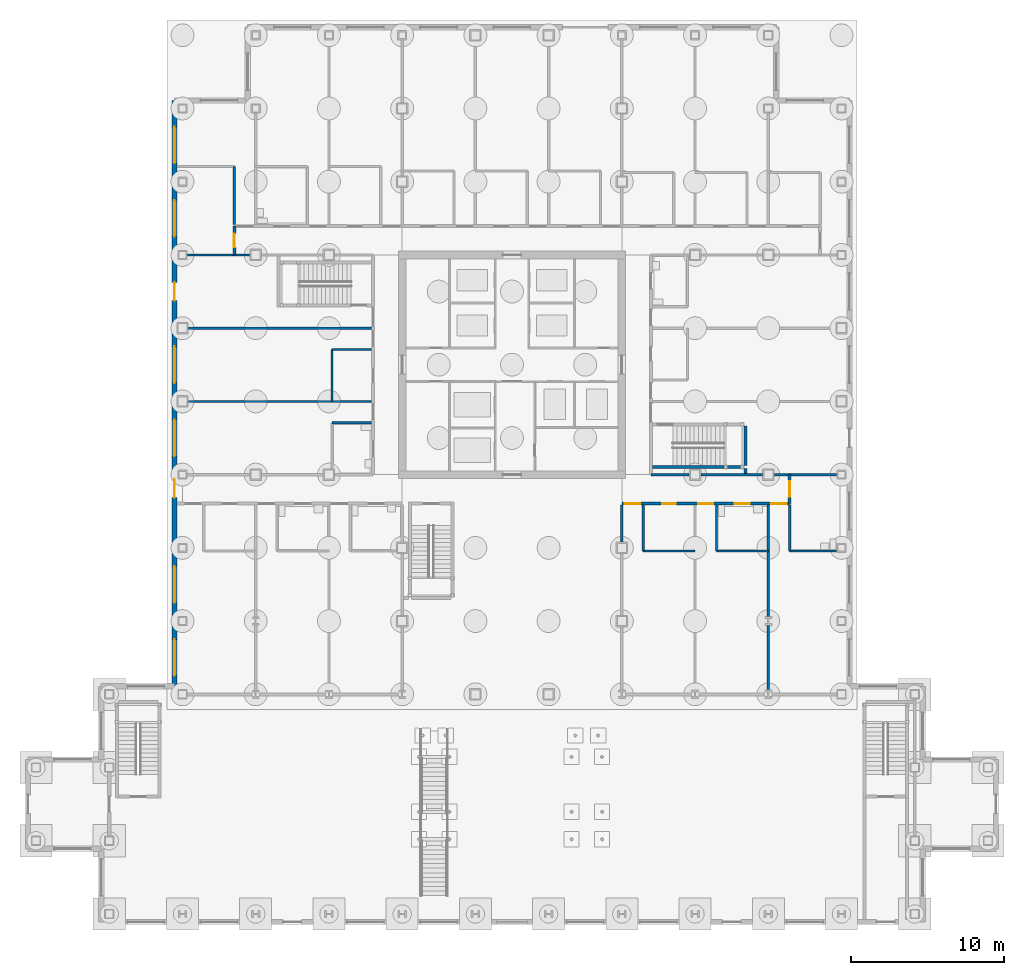
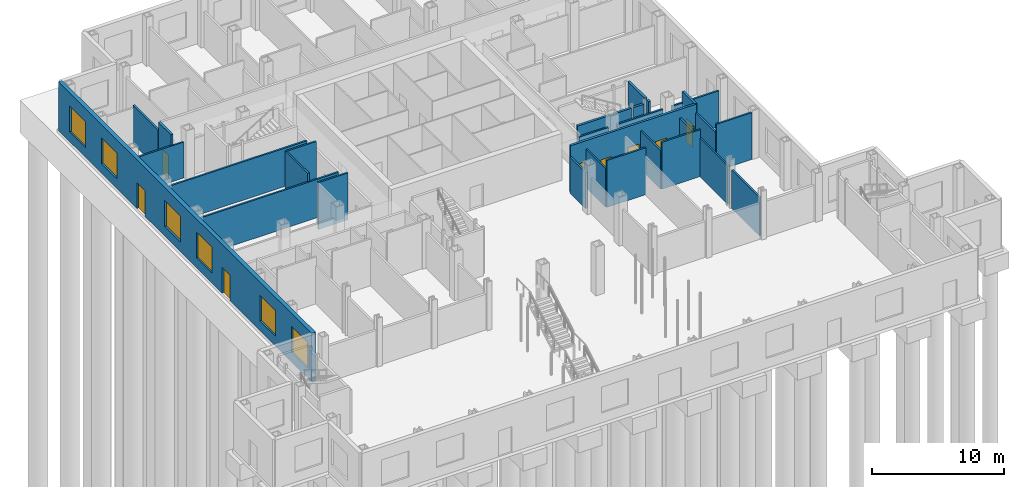
# One storey, part 14 of 22: 27 walls, 9 doors, 6 windows, 15 openings.
"""IFC4 building model written with IfcOpenShell, lengths in metres."""

from ifc_helpers import new_model, si_unit, direction, frame, frame_2d, origin, place, context, subcontext, project, spatial, rectangle, extrude, material, layer, layer_set, type_object, element, fill, save


model = new_model("IFC4")

# Units and contexts
model_context = context("Model", 3, precision=1e-05, world=origin(), true_north=direction((0.0, 1.0)))
body_context = subcontext(model_context, "Body", "Model", "MODEL_VIEW")
ifc_project = project(units=[si_unit("LENGTHUNIT", "METRE"), si_unit("AREAUNIT", "SQUARE_METRE"), si_unit("VOLUMEUNIT", "CUBIC_METRE"), si_unit("PLANEANGLEUNIT", "RADIAN"), si_unit("MASSUNIT", "GRAM", prefix="KILO")], contexts=[model_context])

# Site, building, storey
site_placement = place(None, origin())
site = spatial("IfcSite", under=ifc_project, at=site_placement, CompositionType="ELEMENT")
building_placement = place(site_placement, origin())
building = spatial("IfcBuilding", under=site, at=building_placement, Name="Kvirike Care Tower", CompositionType="ELEMENT")
storey_placement = place(building_placement, origin())
storey = spatial("IfcBuildingStorey", under=building, at=storey_placement, Name="L00", CompositionType="ELEMENT", Elevation=0.0)

# Walls
ifc_material_1 = material(Name="Plasterboard partition", Category="gypsum")
ifc_layer_1 = layer(ifc_material_1, 0.14990234375)
ifc_layer_set_1 = layer_set([ifc_layer_1], Name="CLINIC PARTITION 150")
wall_type_1 = type_object("IfcWallType", Name="CLINIC PARTITION 150", PredefinedType="PARTITIONING", material=ifc_layer_set_1)
wall_1_placement = place(storey_placement, frame((9.800048828125, 37.0, 0.0), z_axis=(0.0, 0.0, 1.0), x_axis=(1.0, 0.0, 0.0)))
element("IfcWall", 1, at=wall_1_placement, inside=storey, type_object=wall_type_1, Name="Clinic Partition 150 L00", PredefinedType="PARTITIONING", context=body_context, shape_type="SweptSolid", body=[
    extrude(rectangle(XDim=2.599853515625, YDim=0.14990234375, at=frame_2d((1.2998046875, 0.0))), origin(), (0.0, 0.0, 1.0), 4.330078125),
])
wall_2_placement = place(storey_placement, frame((9.800048828125, 37.0, 0.0), z_axis=(0.0, 0.0, 1.0), x_axis=(0.0, -1.0, 0.0)))
element("IfcWall", 2, at=wall_2_placement, inside=storey, type_object=wall_type_1, Name="Clinic Partition 150 L00", PredefinedType="PARTITIONING", context=body_context, shape_type="SweptSolid", body=[
    extrude(rectangle(XDim=3.39990234375, YDim=0.14990234375, at=frame_2d((1.699951171875, 0.0))), origin(), (0.0, 0.0, 1.0), 4.330078125),
])
wall_3_placement = place(storey_placement, frame((9.800048828125, 32.199951171875, 0.0), z_axis=(0.0, 0.0, 1.0), x_axis=(1.0, 0.0, 0.0)))
element("IfcWall", 3, at=wall_3_placement, inside=storey, type_object=wall_type_1, Name="Clinic Partition 150 L00", PredefinedType="PARTITIONING", context=body_context, shape_type="SweptSolid", body=[
    extrude(rectangle(XDim=2.599853515625, YDim=0.14990234375, at=frame_2d((1.2998046875, 0.0))), origin(), (0.0, 0.0, 1.0), 4.330078125),
])
for number, where, z_axis, x_axis, name in (
    (4, (0.39501953125, 38.39990234375, 0.0), (0.0, 0.0, 1.0), (1.0, 0.0, 0.0), "Clinic Partition 150 L00"),
    (5, (0.39501953125, 33.60009765625, 0.0), (0.0, 0.0, 1.0), (1.0, 0.0, 0.0), "Clinic Partition 150 L00"),
):
    element("IfcWall", number, at=place(storey_placement, frame(where, z_axis=z_axis, x_axis=x_axis)), inside=storey, type_object=wall_type_1, Name=name, PredefinedType="PARTITIONING", context=body_context, shape_type="SweptSolid", body=[
        extrude(rectangle(XDim=12.0048828125, YDim=0.14990234375, at=frame_2d((6.00244140625, 0.0))), origin(), (0.0, 0.0, 1.0), 3.550048828125),
    ])
wall_4_placement = place(storey_placement, frame((3.39990234375, 49.0, 0.0), z_axis=(0.0, 0.0, 1.0), x_axis=(0.0, -1.0, 0.0)))
element("IfcWall", 6, at=wall_4_placement, inside=storey, type_object=wall_type_1, Name="Clinic Partition 150 L00", PredefinedType="PARTITIONING", context=body_context, shape_type="SweptSolid", body=[
    extrude(rectangle(XDim=3.800048828125, YDim=0.14990234375, at=frame_2d((1.89990234375, 0.0))), origin(), (0.0, 0.0, 1.0), 3.550048828125),
])
wall_5_placement = place(storey_placement, frame((30.199951171875, 23.800048828125, 0.0), z_axis=(0.0, 0.0, 1.0), x_axis=(0.0, 1.0, 0.0)))
element("IfcWall", 7, at=wall_5_placement, inside=storey, type_object=wall_type_1, Name="Clinic Partition 150 L00", PredefinedType="PARTITIONING", context=body_context, shape_type="SweptSolid", body=[
    extrude(rectangle(XDim=3.0, YDim=0.14990234375, at=frame_2d((1.5, 0.0))), origin(), (0.0, 0.0, 1.0), 3.550048828125),
])
wall_6_placement = place(storey_placement, frame((30.199951171875, 23.800048828125, 0.0), z_axis=(0.0, 0.0, 1.0), x_axis=(1.0, 0.0, 0.0)))
element("IfcWall", 8, at=wall_6_placement, inside=storey, type_object=wall_type_1, Name="Clinic Partition 150 L00", PredefinedType="PARTITIONING", context=body_context, shape_type="SweptSolid", body=[
    extrude(rectangle(XDim=3.400146484375, YDim=0.14990234375, at=frame_2d((1.7001953125, 0.0))), origin(), (0.0, 0.0, 1.0), 4.330078125),
])
wall_7_placement = place(storey_placement, frame((35.0, 23.800048828125, 0.0), z_axis=(0.0, 0.0, 1.0), x_axis=(0.0, 1.0, 0.0)))
element("IfcWall", 9, at=wall_7_placement, inside=storey, type_object=wall_type_1, Name="Clinic Partition 150 L00", PredefinedType="PARTITIONING", context=body_context, shape_type="SweptSolid", body=[
    extrude(rectangle(XDim=3.0, YDim=0.14990234375, at=frame_2d((1.5, 0.0))), origin(), (0.0, 0.0, 1.0), 3.550048828125),
])
wall_8_placement = place(storey_placement, frame((35.0, 23.800048828125, 0.0), z_axis=(0.0, 0.0, 1.0), x_axis=(1.0, 0.0, 0.0)))
element("IfcWall", 10, at=wall_8_placement, inside=storey, type_object=wall_type_1, Name="Clinic Partition 150 L00", PredefinedType="PARTITIONING", context=body_context, shape_type="SweptSolid", body=[
    extrude(rectangle(XDim=3.39990234375, YDim=0.14990234375, at=frame_2d((1.699951171875, 0.0))), origin(), (0.0, 0.0, 1.0), 4.330078125),
])
wall_9_placement = place(storey_placement, frame((39.800048828125, 23.800048828125, 0.0), z_axis=(0.0, 0.0, 1.0), x_axis=(0.0, 1.0, 0.0)))
element("IfcWall", 11, at=wall_9_placement, inside=storey, type_object=wall_type_1, Name="Clinic Partition 150 L00", PredefinedType="PARTITIONING", context=body_context, shape_type="SweptSolid", body=[
    extrude(rectangle(XDim=3.0, YDim=0.14990234375, at=frame_2d((1.5, 0.0))), origin(), (0.0, 0.0, 1.0), 3.550048828125),
])
wall_10_placement = place(storey_placement, frame((39.800048828125, 23.800048828125, 0.0), z_axis=(0.0, 0.0, 1.0), x_axis=(1.0, 0.0, 0.0)))
element("IfcWall", 12, at=wall_10_placement, inside=storey, type_object=wall_type_1, Name="Clinic Partition 150 L00", PredefinedType="PARTITIONING", context=body_context, shape_type="SweptSolid", body=[
    extrude(rectangle(XDim=3.079833984375, YDim=0.14990234375, at=frame_2d((1.5400390625, 0.0))), origin(), (0.0, 0.0, 1.0), 4.330078125),
])
wall_11_placement = place(storey_placement, frame((38.39990234375, 14.70458984375, 0.0), z_axis=(0.0, 0.0, 1.0), x_axis=(0.0, 1.0, 0.0)))
element("IfcWall", 13, at=wall_11_placement, inside=storey, type_object=wall_type_1, Name="Clinic Partition 150 L00", PredefinedType="PARTITIONING", context=body_context, shape_type="SweptSolid", body=[
    extrude(rectangle(XDim=4.19091796875, YDim=0.14990234375, at=frame_2d((2.095458984375, 0.0))), origin(), (0.0, 0.0, 1.0), 3.550048828125),
])
wall_12_placement = place(storey_placement, frame((38.39990234375, 19.50439453125, 0.0), z_axis=(0.0, 0.0, 1.0), x_axis=(0.0, 1.0, 0.0)))
element("IfcWall", 14, at=wall_12_placement, inside=storey, type_object=wall_type_1, Name="Clinic Partition 150 L00", PredefinedType="PARTITIONING", context=body_context, shape_type="SweptSolid", body=[
    extrude(rectangle(XDim=7.295654296875, YDim=0.14990234375, at=frame_2d((3.64794921875, 0.0))), origin(), (0.0, 0.0, 1.0), 3.550048828125),
])
wall_13_placement = place(storey_placement, frame((4.405029296875, 43.199951171875, 0.0), z_axis=(0.0, 0.0, 1.0), x_axis=(-1.0, 0.0, 0.0)))
element("IfcWall", 15, at=wall_13_placement, inside=storey, type_object=wall_type_1, Name="Clinic Partition 150 L00", PredefinedType="PARTITIONING", context=body_context, shape_type="SweptSolid", body=[
    extrude(rectangle(XDim=4.0849609375, YDim=0.14990234375, at=frame_2d((2.04248046875, 0.0))), origin(), (0.0, 0.0, 1.0), 3.320068359375),
])
wall_14_placement = place(storey_placement, frame((28.800048828125, 24.39501953125, 0.0), z_axis=(0.0, 0.0, 1.0), x_axis=(0.0, 1.0, 0.0)))
element("IfcWall", 16, at=wall_14_placement, inside=storey, type_object=wall_type_1, Name="Clinic Partition 150 L00", PredefinedType="PARTITIONING", context=body_context, shape_type="SweptSolid", body=[
    extrude(rectangle(XDim=2.405029296875, YDim=0.14990234375, at=frame_2d((1.20263671875, 0.0))), origin(), (0.0, 0.0, 1.0), 3.320068359375),
])
wall_15_placement = place(storey_placement, frame((42.8798828125, 28.800048828125, 0.0), z_axis=(0.0, 0.0, 1.0), x_axis=(-1.0, 0.0, 0.0)))
element("IfcWall", 17, at=wall_15_placement, inside=storey, type_object=wall_type_1, Name="Clinic Partition 150 L00", PredefinedType="PARTITIONING", context=body_context, shape_type="SweptSolid", body=[
    extrude(rectangle(XDim=4.0849609375, YDim=0.14990234375, at=frame_2d((2.04248046875, 0.0))), origin(), (0.0, 0.0, 1.0), 3.320068359375),
])
wall_16_placement = place(storey_placement, frame((38.0048828125, 28.800048828125, 0.0), z_axis=(0.0, 0.0, 1.0), x_axis=(-1.0, 0.0, 0.0)))
element("IfcWall", 18, at=wall_16_placement, inside=storey, type_object=wall_type_1, Name="Clinic Partition 150 L00", PredefinedType="PARTITIONING", context=body_context, shape_type="SweptSolid", body=[
    extrude(rectangle(XDim=4.009765625, YDim=0.14990234375, at=frame_2d((2.0048828125, 0.0))), origin(), (0.0, 0.0, 1.0), 3.320068359375),
])
wall_17_placement = place(storey_placement, frame((33.205078125, 28.800048828125, 0.0), z_axis=(0.0, 0.0, 1.0), x_axis=(-1.0, 0.0, 0.0)))
element("IfcWall", 19, at=wall_17_placement, inside=storey, type_object=wall_type_1, Name="Clinic Partition 150 L00", PredefinedType="PARTITIONING", context=body_context, shape_type="SweptSolid", body=[
    extrude(rectangle(XDim=2.505126953125, YDim=0.14990234375, at=frame_2d((1.25244140625, 0.0))), origin(), (0.0, 0.0, 1.0), 3.320068359375),
])

# Wall, openings, doors
ifc_material_2 = material(Name="Plasterboard corridor wall", Category="gypsum")
ifc_layer_2 = layer(ifc_material_2, 0.199951171875)
ifc_layer_set_2 = layer_set([ifc_layer_2], Name="CORRIDOR WALL 200")
wall_type_2 = type_object("IfcWallType", Name="CORRIDOR WALL 200", PredefinedType="PARTITIONING", material=ifc_layer_set_2)
wall_18_placement = place(storey_placement, frame((28.800048828125, 26.89990234375, 0.0), z_axis=(0.0, 0.0, 1.0), x_axis=(1.0, 0.0, 0.0)))
wall_18 = element("IfcWall", 20, at=wall_18_placement, inside=storey, type_object=wall_type_2, Name="Corridor Wall 200 L00", PredefinedType="PARTITIONING", context=body_context, shape_type="SweptSolid", body=[
    extrude(rectangle(XDim=11.0, YDim=0.199951171875, at=frame_2d((5.5, 0.0))), origin(), (0.0, 0.0, 1.0), 4.330078125),
])
opening_1_placement = place(wall_18_placement, frame((0.199951171875, 0.0, 0.0)))
opening_1 = element("IfcOpeningElement", 21, at=opening_1_placement, cuts=wall_18, Name="Opening 00-025", PredefinedType="OPENING", context=body_context, shape_type="SweptSolid", body=[
    extrude(rectangle(XDim=1.0, YDim=2.39990234375, at=frame_2d((0.5, 1.199951171875))), frame((0.0, 0.110595703125, 0.0), z_axis=(0.0, -1.0, 0.0), x_axis=(1.0, 0.0, 0.0)), (0.0, 0.0, 1.0), 0.220947265625),
])
opening_2_placement = place(wall_18_placement, frame((5.0, 0.0, 0.0)))
opening_2 = element("IfcOpeningElement", 22, at=opening_2_placement, cuts=wall_18, Name="Opening 00-026", PredefinedType="OPENING", context=body_context, shape_type="SweptSolid", body=[
    extrude(rectangle(XDim=1.0, YDim=2.39990234375, at=frame_2d((0.5, 1.199951171875))), frame((0.0, 0.110595703125, 0.0), z_axis=(0.0, -1.0, 0.0), x_axis=(1.0, 0.0, 0.0)), (0.0, 0.0, 1.0), 0.220947265625),
])
opening_3_placement = place(wall_18_placement, frame((9.800048828125, 0.0, 0.0)))
opening_3 = element("IfcOpeningElement", 23, at=opening_3_placement, cuts=wall_18, Name="Opening 00-027", PredefinedType="OPENING", context=body_context, shape_type="SweptSolid", body=[
    extrude(rectangle(XDim=1.0, YDim=2.39990234375, at=frame_2d((0.5, 1.199951171875))), frame((0.0, 0.110595703125, 0.0), z_axis=(0.0, -1.0, 0.0), x_axis=(1.0, 0.0, 0.0)), (0.0, 0.0, 1.0), 0.220947265625),
])
opening_4_placement = place(wall_18_placement, frame((2.64990234375, 0.0, 0.0)))
opening_4 = element("IfcOpeningElement", 24, at=opening_4_placement, cuts=wall_18, Name="Opening 00-028", PredefinedType="OPENING", context=body_context, shape_type="SweptSolid", body=[
    extrude(rectangle(XDim=0.89990234375, YDim=2.10009765625, at=frame_2d((0.449951171875, 1.050048828125))), frame((0.0, 0.110595703125, 0.0), z_axis=(0.0, -1.0, 0.0), x_axis=(1.0, 0.0, 0.0)), (0.0, 0.0, 1.0), 0.220947265625),
])
opening_5_placement = place(wall_18_placement, frame((7.39990234375, 0.0, 0.0)))
opening_5 = element("IfcOpeningElement", 25, at=opening_5_placement, cuts=wall_18, Name="Opening 00-029", PredefinedType="OPENING", context=body_context, shape_type="SweptSolid", body=[
    extrude(rectangle(XDim=1.0, YDim=2.10009765625, at=frame_2d((0.5, 1.050048828125))), frame((0.0, 0.110595703125, 0.0), z_axis=(0.0, -1.0, 0.0), x_axis=(1.0, 0.0, 0.0)), (0.0, 0.0, 1.0), 0.220947265625),
])
ifc_material_3 = material(Name="Timber door set", Category="wood")
door_type_1 = type_object("IfcDoorType", Name="CONSULTING ROOM DOOR 1000", OperationType="SINGLE_SWING_LEFT", PredefinedType="DOOR", material=ifc_material_3)
door_1_placement = place(opening_1_placement, frame((1.0, 0.0, 0.0), z_axis=(0.0, 0.0, 1.0), x_axis=(-1.0, 0.0, 0.0)))
door_1 = element("IfcDoor", 26, at=door_1_placement, inside=storey, type_object=door_type_1, Name="Outpatient consulting room door", OperationType="SINGLE_SWING_RIGHT", OverallHeight=2.39990234375, OverallWidth=1.0, PredefinedType="DOOR", context=body_context, shape_type="SweptSolid", body=[
    extrude(rectangle(XDim=1.0, YDim=2.39990234375, at=frame_2d((0.5, 1.199951171875))), frame((0.0, 0.02685546875, 0.0), z_axis=(0.0, -1.0, 0.0), x_axis=(1.0, 0.0, 0.0)), (0.0, 0.0, 1.0), 0.053955078125),
])
fill(opening_1, door_1)
door_2_placement = place(opening_2_placement, frame((1.0, 0.0, 0.0), z_axis=(0.0, 0.0, 1.0), x_axis=(-1.0, 0.0, 0.0)))
door_2 = element("IfcDoor", 27, at=door_2_placement, inside=storey, type_object=door_type_1, Name="Outpatient consulting room door", OperationType="SINGLE_SWING_RIGHT", OverallHeight=2.39990234375, OverallWidth=1.0, PredefinedType="DOOR", context=body_context, shape_type="SweptSolid", body=[
    extrude(rectangle(XDim=1.0, YDim=2.39990234375, at=frame_2d((0.5, 1.199951171875))), frame((0.0, 0.02685546875, 0.0), z_axis=(0.0, -1.0, 0.0), x_axis=(1.0, 0.0, 0.0)), (0.0, 0.0, 1.0), 0.053955078125),
])
fill(opening_2, door_2)
door_3_placement = place(opening_3_placement, frame((1.0, 0.0, 0.0), z_axis=(0.0, 0.0, 1.0), x_axis=(-1.0, 0.0, 0.0)))
door_3 = element("IfcDoor", 28, at=door_3_placement, inside=storey, type_object=door_type_1, Name="Outpatient consulting room door", OperationType="SINGLE_SWING_RIGHT", OverallHeight=2.39990234375, OverallWidth=1.0, PredefinedType="DOOR", context=body_context, shape_type="SweptSolid", body=[
    extrude(rectangle(XDim=1.0, YDim=2.39990234375, at=frame_2d((0.5, 1.199951171875))), frame((0.0, 0.02685546875, 0.0), z_axis=(0.0, -1.0, 0.0), x_axis=(1.0, 0.0, 0.0)), (0.0, 0.0, 1.0), 0.053955078125),
])
fill(opening_3, door_3)
ifc_material_4 = material(Name="Timber door set", Category="wood")
door_type_2 = type_object("IfcDoorType", Name="STORE DOOR 900", OperationType="SINGLE_SWING_LEFT", PredefinedType="DOOR", material=ifc_material_4)
door_4_placement = place(opening_4_placement, frame((0.89990234375, 0.0, 0.0), z_axis=(0.0, 0.0, 1.0), x_axis=(-1.0, 0.0, 0.0)))
door_4 = element("IfcDoor", 29, at=door_4_placement, inside=storey, type_object=door_type_2, Name="Store door", OperationType="SINGLE_SWING_RIGHT", OverallHeight=2.10009765625, OverallWidth=0.89990234375, PredefinedType="DOOR", context=body_context, shape_type="SweptSolid", body=[
    extrude(rectangle(XDim=0.89990234375, YDim=2.10009765625, at=frame_2d((0.449951171875, 1.050048828125))), frame((0.0, 0.02685546875, 0.0), z_axis=(0.0, -1.0, 0.0), x_axis=(1.0, 0.0, 0.0)), (0.0, 0.0, 1.0), 0.053955078125),
])
fill(opening_4, door_4)
ifc_material_5 = material(Name="Timber door set", Category="wood")
door_type_3 = type_object("IfcDoorType", Name="WC DOOR 1000", OperationType="SINGLE_SWING_LEFT", PredefinedType="DOOR", material=ifc_material_5)
door_5_placement = place(opening_5_placement, frame((1.0, 0.0, 0.0), z_axis=(0.0, 0.0, 1.0), x_axis=(-1.0, 0.0, 0.0)))
door_5 = element("IfcDoor", 30, at=door_5_placement, inside=storey, type_object=door_type_3, Name="Accessible WC door", OperationType="SINGLE_SWING_RIGHT", OverallHeight=2.10009765625, OverallWidth=1.0, PredefinedType="DOOR", context=body_context, shape_type="SweptSolid", body=[
    extrude(rectangle(XDim=1.0, YDim=2.10009765625, at=frame_2d((0.5, 1.050048828125))), frame((0.0, 0.02685546875, 0.0), z_axis=(0.0, -1.0, 0.0), x_axis=(1.0, 0.0, 0.0)), (0.0, 0.0, 1.0), 0.053955078125),
])
fill(opening_5, door_5)

# Wall, opening, door
wall_19_placement = place(storey_placement, frame((3.39990234375, 45.10009765625, 0.0), z_axis=(0.0, 0.0, 1.0), x_axis=(0.0, -1.0, 0.0)))
wall_19 = element("IfcWall", 31, at=wall_19_placement, inside=storey, type_object=wall_type_2, Name="Corridor Wall 200 L00", PredefinedType="PARTITIONING", context=body_context, shape_type="SweptSolid", body=[
    extrude(rectangle(XDim=1.900146484375, YDim=0.199951171875, at=frame_2d((0.9501953125, 0.0))), origin(), (0.0, 0.0, 1.0), 4.330078125),
])
opening_6_placement = place(wall_19_placement, frame((0.5, 0.0, 0.0)))
opening_6 = element("IfcOpeningElement", 32, at=opening_6_placement, cuts=wall_19, Name="Opening 00-057", PredefinedType="OPENING", context=body_context, shape_type="SweptSolid", body=[
    extrude(rectangle(XDim=0.89990234375, YDim=2.10009765625, at=frame_2d((0.449951171875, 1.050048828125))), frame((0.0, 0.110595703125, 0.0), z_axis=(0.0, -1.0, 0.0), x_axis=(1.0, 0.0, 0.0)), (0.0, 0.0, 1.0), 0.220947265625),
])
door_6_placement = place(opening_6_placement, frame((0.89990234375, 0.0, 0.0), z_axis=(0.0, 0.0, 1.0), x_axis=(-1.0, 0.0, 0.0)))
door_6 = element("IfcDoor", 33, at=door_6_placement, inside=storey, type_object=door_type_2, Name="Store door", OperationType="SINGLE_SWING_RIGHT", OverallHeight=2.10009765625, OverallWidth=0.89990234375, PredefinedType="DOOR", context=body_context, shape_type="SweptSolid", body=[
    extrude(rectangle(XDim=0.89990234375, YDim=2.10009765625, at=frame_2d((0.449951171875, 1.050048828125))), frame((0.0, 0.02685546875, 0.0), z_axis=(0.0, -1.0, 0.0), x_axis=(1.0, 0.0, 0.0)), (0.0, 0.0, 1.0), 0.053955078125),
])
fill(opening_6, door_6)

wall_20_placement = place(storey_placement, frame((39.800048828125, 26.89990234375, 0.0), z_axis=(0.0, 0.0, 1.0), x_axis=(0.0, 1.0, 0.0)))
wall_20 = element("IfcWall", 34, at=wall_20_placement, inside=storey, type_object=wall_type_2, Name="Corridor Wall 200 L00", PredefinedType="PARTITIONING", context=body_context, shape_type="SweptSolid", body=[
    extrude(rectangle(XDim=1.900146484375, YDim=0.199951171875, at=frame_2d((0.9501953125, 0.0))), origin(), (0.0, 0.0, 1.0), 4.330078125),
])
opening_7_placement = place(wall_20_placement, frame((0.449951171875, 0.0, 0.0)))
opening_7 = element("IfcOpeningElement", 35, at=opening_7_placement, cuts=wall_20, Name="Opening 00-058", PredefinedType="OPENING", context=body_context, shape_type="SweptSolid", body=[
    extrude(rectangle(XDim=1.0, YDim=2.10009765625, at=frame_2d((0.5, 1.050048828125))), frame((0.0, 0.110595703125, 0.0), z_axis=(0.0, -1.0, 0.0), x_axis=(1.0, 0.0, 0.0)), (0.0, 0.0, 1.0), 0.220947265625),
])
door_7_placement = place(opening_7_placement, frame((1.0, 0.0, 0.0), z_axis=(0.0, 0.0, 1.0), x_axis=(-1.0, 0.0, 0.0)))
door_7 = element("IfcDoor", 36, at=door_7_placement, inside=storey, type_object=door_type_3, Name="Staff WC door", OperationType="SINGLE_SWING_RIGHT", OverallHeight=2.10009765625, OverallWidth=1.0, PredefinedType="DOOR", context=body_context, shape_type="SweptSolid", body=[
    extrude(rectangle(XDim=1.0, YDim=2.10009765625, at=frame_2d((0.5, 1.050048828125))), frame((0.0, 0.02685546875, 0.0), z_axis=(0.0, -1.0, 0.0), x_axis=(1.0, 0.0, 0.0)), (0.0, 0.0, 1.0), 0.053955078125),
])
fill(opening_7, door_7)

# Wall, openings, doors, windows
ifc_material_6 = material(Name="Bronze-clad concrete wall", Category="concrete")
ifc_layer_3 = layer(ifc_material_6, 0.35009765625)
ifc_layer_set_3 = layer_set([ifc_layer_3], Name="PODIUM BASE WALL 350")
wall_type_3 = type_object("IfcWallType", Name="PODIUM BASE WALL 350", PredefinedType="SOLIDWALL", material=ifc_layer_set_3)
wall_21_placement = place(storey_placement, frame((-0.52490234375, 53.324951171875, 0.0), z_axis=(0.0, 0.0, 1.0), x_axis=(0.0, -1.0, 0.0)))
wall_21 = element("IfcWall", 37, at=wall_21_placement, inside=storey, type_object=wall_type_3, Name="Podium base wall face 14", PredefinedType="SOLIDWALL", context=body_context, shape_type="SweptSolid", body=[
    extrude(rectangle(XDim=38.39990234375, YDim=0.35009765625, at=frame_2d((19.199951171875, 0.0))), origin(), (0.0, 0.0, 1.0), 4.5),
])
opening_8_placement = place(wall_21_placement, frame((11.925048828125, 0.0, 0.0)))
opening_8 = element("IfcOpeningElement", 38, at=opening_8_placement, cuts=wall_21, Name="Opening 00-907", PredefinedType="OPENING", context=body_context, shape_type="SweptSolid", body=[
    extrude(rectangle(XDim=1.199951171875, YDim=2.39990234375, at=frame_2d((0.60009765625, 1.199951171875))), frame((0.0, 0.185546875, 0.0), z_axis=(0.0, -1.0, 0.0), x_axis=(1.0, 0.0, 0.0)), (0.0, 0.0, 1.0), 0.37109375),
])
opening_9_placement = place(wall_21_placement, frame((24.824951171875, 0.0, 0.0)))
opening_9 = element("IfcOpeningElement", 39, at=opening_9_placement, cuts=wall_21, Name="Opening 00-909", PredefinedType="OPENING", context=body_context, shape_type="SweptSolid", body=[
    extrude(rectangle(XDim=1.199951171875, YDim=2.39990234375, at=frame_2d((0.60009765625, 1.199951171875))), frame((0.0, 0.185546875, 0.0), z_axis=(0.0, -1.0, 0.0), x_axis=(1.0, 0.0, 0.0)), (0.0, 0.0, 1.0), 0.37109375),
])
opening_10_placement = place(wall_21_placement, frame((35.324951171875, 0.0, 0.89990234375)))
opening_10 = element("IfcOpeningElement", 40, at=opening_10_placement, cuts=wall_21, Name="Opening W02", PredefinedType="OPENING", context=body_context, shape_type="SweptSolid", body=[
    extrude(rectangle(XDim=2.39990234375, YDim=2.39990234375, at=frame_2d((1.199951171875, 1.199951171875))), frame((0.0, 0.185546875, 0.0), z_axis=(0.0, -1.0, 0.0), x_axis=(1.0, 0.0, 0.0)), (0.0, 0.0, 1.0), 0.37109375),
])
opening_11_placement = place(wall_21_placement, frame((30.52490234375, 0.0, 0.89990234375)))
opening_11 = element("IfcOpeningElement", 41, at=opening_11_placement, cuts=wall_21, Name="Opening W02", PredefinedType="OPENING", context=body_context, shape_type="SweptSolid", body=[
    extrude(rectangle(XDim=2.39990234375, YDim=2.39990234375, at=frame_2d((1.199951171875, 1.199951171875))), frame((0.0, 0.185546875, 0.0), z_axis=(0.0, -1.0, 0.0), x_axis=(1.0, 0.0, 0.0)), (0.0, 0.0, 1.0), 0.37109375),
])
opening_12_placement = place(wall_21_placement, frame((20.925048828125, 0.0, 0.89990234375)))
opening_12 = element("IfcOpeningElement", 42, at=opening_12_placement, cuts=wall_21, Name="Opening W02", PredefinedType="OPENING", context=body_context, shape_type="SweptSolid", body=[
    extrude(rectangle(XDim=2.39990234375, YDim=2.39990234375, at=frame_2d((1.199951171875, 1.199951171875))), frame((0.0, 0.185546875, 0.0), z_axis=(0.0, -1.0, 0.0), x_axis=(1.0, 0.0, 0.0)), (0.0, 0.0, 1.0), 0.37109375),
])
opening_13_placement = place(wall_21_placement, frame((16.125, 0.0, 0.89990234375)))
opening_13 = element("IfcOpeningElement", 43, at=opening_13_placement, cuts=wall_21, Name="Opening W02", PredefinedType="OPENING", context=body_context, shape_type="SweptSolid", body=[
    extrude(rectangle(XDim=2.39990234375, YDim=2.39990234375, at=frame_2d((1.199951171875, 1.199951171875))), frame((0.0, 0.185546875, 0.0), z_axis=(0.0, -1.0, 0.0), x_axis=(1.0, 0.0, 0.0)), (0.0, 0.0, 1.0), 0.37109375),
])
opening_14_placement = place(wall_21_placement, frame((6.52490234375, 0.0, 0.89990234375)))
opening_14 = element("IfcOpeningElement", 44, at=opening_14_placement, cuts=wall_21, Name="Opening W02", PredefinedType="OPENING", context=body_context, shape_type="SweptSolid", body=[
    extrude(rectangle(XDim=2.39990234375, YDim=2.39990234375, at=frame_2d((1.199951171875, 1.199951171875))), frame((0.0, 0.185546875, 0.0), z_axis=(0.0, -1.0, 0.0), x_axis=(1.0, 0.0, 0.0)), (0.0, 0.0, 1.0), 0.37109375),
])
opening_15_placement = place(wall_21_placement, frame((1.72509765625, 0.0, 0.89990234375)))
opening_15 = element("IfcOpeningElement", 45, at=opening_15_placement, cuts=wall_21, Name="Opening W02", PredefinedType="OPENING", context=body_context, shape_type="SweptSolid", body=[
    extrude(rectangle(XDim=2.39990234375, YDim=2.39990234375, at=frame_2d((1.199951171875, 1.199951171875))), frame((0.0, 0.185546875, 0.0), z_axis=(0.0, -1.0, 0.0), x_axis=(1.0, 0.0, 0.0)), (0.0, 0.0, 1.0), 0.37109375),
])
ifc_material_7 = material(Name="Timber door set", Category="wood")
door_type_4 = type_object("IfcDoorType", Name="EXIT DOOR 1200", OperationType="SINGLE_SWING_LEFT", PredefinedType="DOOR", material=ifc_material_7)
door_8_placement = place(opening_8_placement, frame((1.199951171875, 0.0, 0.0), z_axis=(0.0, 0.0, 1.0), x_axis=(-1.0, 0.0, 0.0)))
door_8 = element("IfcDoor", 46, at=door_8_placement, inside=storey, type_object=door_type_4, Name="Stair 1 exit", OperationType="SINGLE_SWING_LEFT", OverallHeight=2.39990234375, OverallWidth=1.199951171875, PredefinedType="DOOR", context=body_context, shape_type="SweptSolid", body=[
    extrude(rectangle(XDim=1.199951171875, YDim=2.39990234375, at=frame_2d((0.60009765625, 1.199951171875))), frame((0.0, 0.02685546875, 0.0), z_axis=(0.0, -1.0, 0.0), x_axis=(1.0, 0.0, 0.0)), (0.0, 0.0, 1.0), 0.053955078125),
])
fill(opening_8, door_8)
door_9_placement = place(opening_9_placement, frame((1.199951171875, 0.0, 0.0), z_axis=(0.0, 0.0, 1.0), x_axis=(-1.0, 0.0, 0.0)))
door_9 = element("IfcDoor", 47, at=door_9_placement, inside=storey, type_object=door_type_4, Name="Stair 5 exit", OperationType="SINGLE_SWING_LEFT", OverallHeight=2.39990234375, OverallWidth=1.199951171875, PredefinedType="DOOR", context=body_context, shape_type="SweptSolid", body=[
    extrude(rectangle(XDim=1.199951171875, YDim=2.39990234375, at=frame_2d((0.60009765625, 1.199951171875))), frame((0.0, 0.02685546875, 0.0), z_axis=(0.0, -1.0, 0.0), x_axis=(1.0, 0.0, 0.0)), (0.0, 0.0, 1.0), 0.053955078125),
])
fill(opening_9, door_9)
ifc_material_8 = material(Name="Bronze anodised aluminium window", Category="aluminium")
window_type = type_object("IfcWindowType", Name="PODIUM WINDOW 2400", PartitioningType="SINGLE_PANEL", PredefinedType="WINDOW", material=ifc_material_8)
window_1_placement = place(opening_10_placement, origin())
window_1 = element("IfcWindow", 48, at=window_1_placement, inside=storey, type_object=window_type, Name="Podium Window 2400 L00", OverallHeight=2.39990234375, OverallWidth=2.39990234375, PartitioningType="SINGLE_PANEL", PredefinedType="WINDOW", context=body_context, shape_type="SweptSolid", body=[
    extrude(rectangle(XDim=2.39990234375, YDim=2.39990234375, at=frame_2d((1.199951171875, 1.199951171875))), frame((0.0, 0.030029296875, 0.0), z_axis=(0.0, -1.0, 0.0), x_axis=(1.0, 0.0, 0.0)), (0.0, 0.0, 1.0), 0.06005859375),
])
fill(opening_10, window_1)
window_2_placement = place(opening_11_placement, origin())
window_2 = element("IfcWindow", 49, at=window_2_placement, inside=storey, type_object=window_type, Name="Podium Window 2400 L00", OverallHeight=2.39990234375, OverallWidth=2.39990234375, PartitioningType="SINGLE_PANEL", PredefinedType="WINDOW", context=body_context, shape_type="SweptSolid", body=[
    extrude(rectangle(XDim=2.39990234375, YDim=2.39990234375, at=frame_2d((1.199951171875, 1.199951171875))), frame((0.0, 0.030029296875, 0.0), z_axis=(0.0, -1.0, 0.0), x_axis=(1.0, 0.0, 0.0)), (0.0, 0.0, 1.0), 0.06005859375),
])
fill(opening_11, window_2)
window_3_placement = place(opening_12_placement, origin())
window_3 = element("IfcWindow", 50, at=window_3_placement, inside=storey, type_object=window_type, Name="Podium Window 2400 L00", OverallHeight=2.39990234375, OverallWidth=2.39990234375, PartitioningType="SINGLE_PANEL", PredefinedType="WINDOW", context=body_context, shape_type="SweptSolid", body=[
    extrude(rectangle(XDim=2.39990234375, YDim=2.39990234375, at=frame_2d((1.199951171875, 1.199951171875))), frame((0.0, 0.030029296875, 0.0), z_axis=(0.0, -1.0, 0.0), x_axis=(1.0, 0.0, 0.0)), (0.0, 0.0, 1.0), 0.06005859375),
])
fill(opening_12, window_3)
window_4_placement = place(opening_13_placement, origin())
window_4 = element("IfcWindow", 51, at=window_4_placement, inside=storey, type_object=window_type, Name="Podium Window 2400 L00", OverallHeight=2.39990234375, OverallWidth=2.39990234375, PartitioningType="SINGLE_PANEL", PredefinedType="WINDOW", context=body_context, shape_type="SweptSolid", body=[
    extrude(rectangle(XDim=2.39990234375, YDim=2.39990234375, at=frame_2d((1.199951171875, 1.199951171875))), frame((0.0, 0.030029296875, 0.0), z_axis=(0.0, -1.0, 0.0), x_axis=(1.0, 0.0, 0.0)), (0.0, 0.0, 1.0), 0.06005859375),
])
fill(opening_13, window_4)
window_5_placement = place(opening_14_placement, origin())
window_5 = element("IfcWindow", 52, at=window_5_placement, inside=storey, type_object=window_type, Name="Podium Window 2400 L00", OverallHeight=2.39990234375, OverallWidth=2.39990234375, PartitioningType="SINGLE_PANEL", PredefinedType="WINDOW", context=body_context, shape_type="SweptSolid", body=[
    extrude(rectangle(XDim=2.39990234375, YDim=2.39990234375, at=frame_2d((1.199951171875, 1.199951171875))), frame((0.0, 0.030029296875, 0.0), z_axis=(0.0, -1.0, 0.0), x_axis=(1.0, 0.0, 0.0)), (0.0, 0.0, 1.0), 0.06005859375),
])
fill(opening_14, window_5)
window_6_placement = place(opening_15_placement, origin())
window_6 = element("IfcWindow", 53, at=window_6_placement, inside=storey, type_object=window_type, Name="Podium Window 2400 L00", OverallHeight=2.39990234375, OverallWidth=2.39990234375, PartitioningType="SINGLE_PANEL", PredefinedType="WINDOW", context=body_context, shape_type="SweptSolid", body=[
    extrude(rectangle(XDim=2.39990234375, YDim=2.39990234375, at=frame_2d((1.199951171875, 1.199951171875))), frame((0.0, 0.030029296875, 0.0), z_axis=(0.0, -1.0, 0.0), x_axis=(1.0, 0.0, 0.0)), (0.0, 0.0, 1.0), 0.06005859375),
])
fill(opening_15, window_6)

# Walls
ifc_material_9 = material(Name="Concrete C40/50", Category="concrete")
ifc_layer_4 = layer(ifc_material_9, 0.199951171875)
ifc_layer_set_4 = layer_set([ifc_layer_4], Name="STAIR WALL 200")
wall_type_4 = type_object("IfcWallType", Name="STAIR WALL 200", PredefinedType="SOLIDWALL", material=ifc_layer_set_4)
wall_22_placement = place(storey_placement, frame((36.60009765625, 29.300048828125, 0.0), z_axis=(0.0, 0.0, 1.0), x_axis=(-1.0, 0.0, 0.0)))
element("IfcWall", 54, at=wall_22_placement, inside=storey, type_object=wall_type_4, Name="Stair Wall 200 L00", PredefinedType="SOLIDWALL", context=body_context, shape_type="SweptSolid", body=[
    extrude(rectangle(XDim=0.900146484375, YDim=0.199951171875, at=frame_2d((0.4501953125, 0.0))), origin(), (0.0, 0.0, 1.0), 3.989990234375),
])
wall_23_placement = place(storey_placement, frame((35.5, 29.300048828125, 0.0), z_axis=(0.0, 0.0, 1.0), x_axis=(-1.0, 0.0, 0.0)))
element("IfcWall", 55, at=wall_23_placement, inside=storey, type_object=wall_type_4, Name="Stair Wall 200 L00", PredefinedType="SOLIDWALL", context=body_context, shape_type="SweptSolid", body=[
    extrude(rectangle(XDim=4.699951171875, YDim=0.199951171875, at=frame_2d((2.35009765625, 0.0))), origin(), (0.0, 0.0, 1.0), 3.989990234375),
])
wall_24_placement = place(storey_placement, frame((36.89990234375, 28.875, 0.0), z_axis=(0.0, 0.0, 1.0), x_axis=(0.0, 1.0, 0.0)))
element("IfcWall", 56, at=wall_24_placement, inside=storey, type_object=wall_type_4, Name="Stair Wall 200 L00", PredefinedType="SOLIDWALL", context=body_context, shape_type="SweptSolid", body=[
    extrude(rectangle(XDim=0.324951171875, YDim=0.199951171875, at=frame_2d((0.16259765625, 0.0))), origin(), (0.0, 0.0, 1.0), 4.330078125),
])
wall_25_placement = place(storey_placement, frame((36.89990234375, 29.39990234375, 0.0), z_axis=(0.0, 0.0, 1.0), x_axis=(0.0, 1.0, 0.0)))
element("IfcWall", 57, at=wall_25_placement, inside=storey, type_object=wall_type_4, Name="Stair Wall 200 L00", PredefinedType="SOLIDWALL", context=body_context, shape_type="SweptSolid", body=[
    extrude(rectangle(XDim=2.60009765625, YDim=0.199951171875, at=frame_2d((1.300048828125, 0.0))), origin(), (0.0, 0.0, 1.0), 4.330078125),
])

save(model, "model.ifc")
